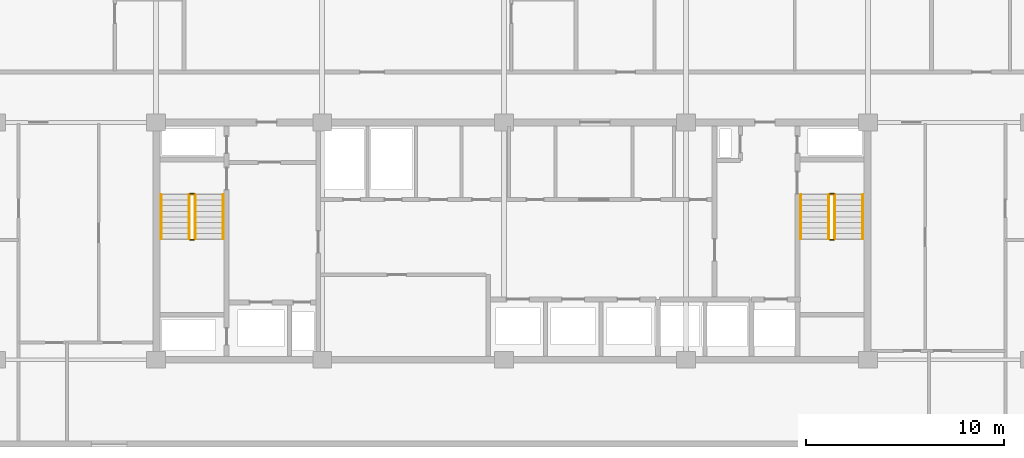
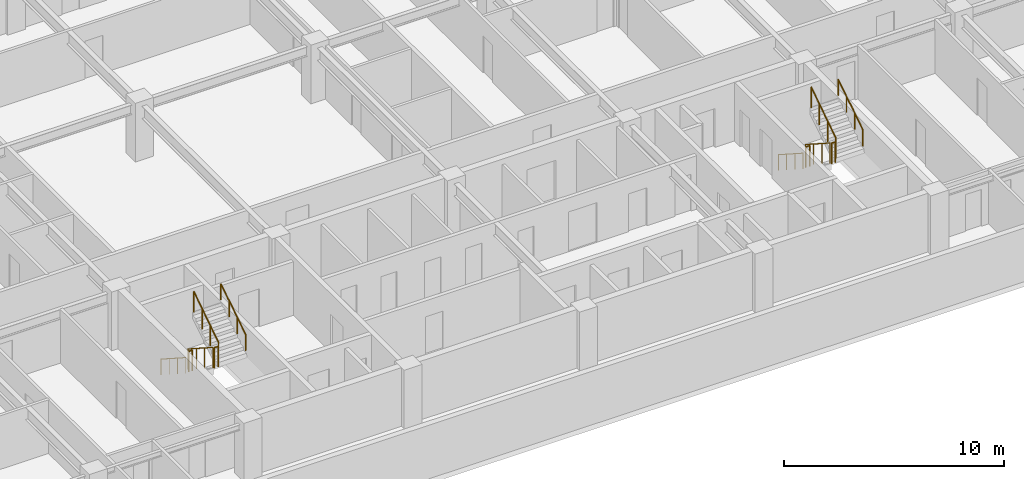
# One storey, part 20 of 21: 12 railings.
"""IFC4 building model written with IfcOpenShell, lengths in metres."""

from ifc_helpers import new_model, si_unit, direction, frame, origin, origin_2d, place, context, subcontext, project, spatial, circle, extrude, material, type_object, element, save


model = new_model("IFC4")

# Units and contexts
model_context = context("Model", 3, precision=1e-05, world=origin(), true_north=direction((0.0, 1.0)))
body_context = subcontext(model_context, "Body", "Model", "MODEL_VIEW")
ifc_project = project(units=[si_unit("LENGTHUNIT", "METRE"), si_unit("AREAUNIT", "SQUARE_METRE"), si_unit("VOLUMEUNIT", "CUBIC_METRE"), si_unit("PLANEANGLEUNIT", "RADIAN"), si_unit("MASSUNIT", "GRAM", prefix="KILO")], contexts=[model_context])

# Site, building, storey
site_placement = place(None, origin())
site = spatial("IfcSite", under=ifc_project, at=site_placement, CompositionType="ELEMENT")
building_placement = place(site_placement, origin())
building = spatial("IfcBuilding", under=site, at=building_placement, Name="Korimba Cascade Residences", CompositionType="ELEMENT")
storey_placement = place(building_placement, frame((0.0, 0.0, 119.800048828125)))
storey = spatial("IfcBuildingStorey", under=building, at=storey_placement, Name="L34", CompositionType="ELEMENT", Elevation=119.800048828125)

# Railings
ifc_material_1 = material(Name="Painted Steel Stairwell Guardrail", Category="steel")
railing_type_1 = type_object("IfcRailingType", Name="RLG-ST-GD1150", PredefinedType="GUARDRAIL", material=ifc_material_1)
railing_1_placement = place(storey_placement, frame((77.77001953125, 63.550048828125, 0.180419921875)))
element("IfcRailing", 1, at=railing_1_placement, inside=storey, type_object=railing_type_1, Name="L34 ST-W1 stair guard 1", PredefinedType="GUARDRAIL", context=body_context, shape_type="SweptSolid", body=[
    extrude(circle(Radius=0.02392578125, at=origin_2d()), frame((0.0, 0.0, 1.1259765625), z_axis=(0.0, -0.840394893359, 0.541974559565), x_axis=(1.0, 0.0, 0.0)), (0.0, 0.0, 1.0), 2.665283203125),
    extrude(circle(Radius=0.02099609375, at=origin_2d()), origin(), (0.0, 0.0, 1.0), 1.101806640625),
    extrude(circle(Radius=0.02099609375, at=origin_2d()), frame((0.0, -0.74658203125, 0.4814453125)), (0.0, 0.0, 1.0), 1.101806640625),
    extrude(circle(Radius=0.02099609375, at=origin_2d()), frame((0.0, -1.493408203125, 0.963134765625)), (0.0, 0.0, 1.0), 1.101806640625),
    extrude(circle(Radius=0.02099609375, at=origin_2d()), frame((0.0, -2.239990234375, 1.444580078125)), (0.0, 0.0, 1.0), 1.101806640625),
])
railing_2_placement = place(storey_placement, frame((77.820068359375, 61.260009765625, 1.625)))
element("IfcRailing", 2, at=railing_2_placement, inside=storey, type_object=railing_type_1, Name="L34 ST-W1 stair guard 2", PredefinedType="GUARDRAIL", context=body_context, shape_type="SweptSolid", body=[
    extrude(circle(Radius=0.02392578125, at=origin_2d()), frame((0.0, 0.0, 1.1259765625), z_axis=(1.0, 0.0, 0.0), x_axis=(0.0, 1.0, 0.0)), (0.0, 0.0, 1.0), 0.199951171875),
    extrude(circle(Radius=0.02099609375, at=origin_2d()), origin(), (0.0, 0.0, 1.0), 1.101806640625),
    extrude(circle(Radius=0.02099609375, at=origin_2d()), frame((0.199951171875, 0.0, 0.0)), (0.0, 0.0, 1.0), 1.101806640625),
])
railing_3_placement = place(storey_placement, frame((78.070068359375, 61.31005859375, 1.805419921875)))
element("IfcRailing", 3, at=railing_3_placement, inside=storey, type_object=railing_type_1, Name="L34 ST-W1 stair guard 3", PredefinedType="GUARDRAIL", context=body_context, shape_type="SweptSolid", body=[
    extrude(circle(Radius=0.02392578125, at=origin_2d()), frame((0.0, 0.0, 1.1259765625), z_axis=(0.0, 0.840394893359, 0.541974559565), x_axis=(-1.0, 0.0, 0.0)), (0.0, 0.0, 1.0), 2.665283203125),
    extrude(circle(Radius=0.02099609375, at=origin_2d()), origin(), (0.0, 0.0, 1.0), 1.101806640625),
    extrude(circle(Radius=0.02099609375, at=origin_2d()), frame((0.0, 0.74658203125, 0.4814453125)), (0.0, 0.0, 1.0), 1.101806640625),
    extrude(circle(Radius=0.02099609375, at=origin_2d()), frame((0.0, 1.493408203125, 0.963134765625)), (0.0, 0.0, 1.0), 1.101806640625),
    extrude(circle(Radius=0.02099609375, at=origin_2d()), frame((0.0, 2.239990234375, 1.444580078125)), (0.0, 0.0, 1.0), 1.101806640625),
])
railing_4_placement = place(storey_placement, frame((77.820068359375, 63.60009765625, 0.0)))
element("IfcRailing", 4, at=railing_4_placement, inside=storey, type_object=railing_type_1, Name="L34 ST-W1 stair guard 4", PredefinedType="GUARDRAIL", context=body_context, shape_type="SweptSolid", body=[
    extrude(circle(Radius=0.02392578125, at=origin_2d()), frame((0.0, 0.0, 1.1259765625), z_axis=(1.0, 0.0, 0.0), x_axis=(0.0, 1.0, 0.0)), (0.0, 0.0, 1.0), 0.199951171875),
    extrude(circle(Radius=0.02099609375, at=origin_2d()), origin(), (0.0, 0.0, 1.0), 1.101806640625),
    extrude(circle(Radius=0.02099609375, at=origin_2d()), frame((0.199951171875, 0.0, 0.0)), (0.0, 0.0, 1.0), 1.101806640625),
])
railing_5_placement = place(storey_placement, frame((110.1298828125, 63.550048828125, 0.180419921875)))
element("IfcRailing", 5, at=railing_5_placement, inside=storey, type_object=railing_type_1, Name="L34 ST-W2 stair guard 1", PredefinedType="GUARDRAIL", context=body_context, shape_type="SweptSolid", body=[
    extrude(circle(Radius=0.02392578125, at=origin_2d()), frame((0.0, 0.0, 1.1259765625), z_axis=(0.0, -0.840394893359, 0.541974559565), x_axis=(1.0, 0.0, 0.0)), (0.0, 0.0, 1.0), 2.665283203125),
    extrude(circle(Radius=0.02099609375, at=origin_2d()), origin(), (0.0, 0.0, 1.0), 1.101806640625),
    extrude(circle(Radius=0.02099609375, at=origin_2d()), frame((0.0, -0.74658203125, 0.4814453125)), (0.0, 0.0, 1.0), 1.101806640625),
    extrude(circle(Radius=0.02099609375, at=origin_2d()), frame((0.0, -1.493408203125, 0.963134765625)), (0.0, 0.0, 1.0), 1.101806640625),
    extrude(circle(Radius=0.02099609375, at=origin_2d()), frame((0.0, -2.239990234375, 1.444580078125)), (0.0, 0.0, 1.0), 1.101806640625),
])
railing_6_placement = place(storey_placement, frame((110.179931640625, 61.260009765625, 1.625)))
element("IfcRailing", 6, at=railing_6_placement, inside=storey, type_object=railing_type_1, Name="L34 ST-W2 stair guard 2", PredefinedType="GUARDRAIL", context=body_context, shape_type="SweptSolid", body=[
    extrude(circle(Radius=0.02392578125, at=origin_2d()), frame((0.0, 0.0, 1.1259765625), z_axis=(1.0, 0.0, 0.0), x_axis=(0.0, 1.0, 0.0)), (0.0, 0.0, 1.0), 0.199951171875),
    extrude(circle(Radius=0.02099609375, at=origin_2d()), origin(), (0.0, 0.0, 1.0), 1.101806640625),
    extrude(circle(Radius=0.02099609375, at=origin_2d()), frame((0.199951171875, 0.0, 0.0)), (0.0, 0.0, 1.0), 1.101806640625),
])
railing_7_placement = place(storey_placement, frame((110.429931640625, 61.31005859375, 1.805419921875)))
element("IfcRailing", 7, at=railing_7_placement, inside=storey, type_object=railing_type_1, Name="L34 ST-W2 stair guard 3", PredefinedType="GUARDRAIL", context=body_context, shape_type="SweptSolid", body=[
    extrude(circle(Radius=0.02392578125, at=origin_2d()), frame((0.0, 0.0, 1.1259765625), z_axis=(0.0, 0.840394893359, 0.541974559565), x_axis=(-1.0, 0.0, 0.0)), (0.0, 0.0, 1.0), 2.665283203125),
    extrude(circle(Radius=0.02099609375, at=origin_2d()), origin(), (0.0, 0.0, 1.0), 1.101806640625),
    extrude(circle(Radius=0.02099609375, at=origin_2d()), frame((0.0, 0.74658203125, 0.4814453125)), (0.0, 0.0, 1.0), 1.101806640625),
    extrude(circle(Radius=0.02099609375, at=origin_2d()), frame((0.0, 1.493408203125, 0.963134765625)), (0.0, 0.0, 1.0), 1.101806640625),
    extrude(circle(Radius=0.02099609375, at=origin_2d()), frame((0.0, 2.239990234375, 1.444580078125)), (0.0, 0.0, 1.0), 1.101806640625),
])
railing_8_placement = place(storey_placement, frame((110.179931640625, 63.60009765625, 0.0)))
element("IfcRailing", 8, at=railing_8_placement, inside=storey, type_object=railing_type_1, Name="L34 ST-W2 stair guard 4", PredefinedType="GUARDRAIL", context=body_context, shape_type="SweptSolid", body=[
    extrude(circle(Radius=0.02392578125, at=origin_2d()), frame((0.0, 0.0, 1.1259765625), z_axis=(1.0, 0.0, 0.0), x_axis=(0.0, 1.0, 0.0)), (0.0, 0.0, 1.0), 0.199951171875),
    extrude(circle(Radius=0.02099609375, at=origin_2d()), origin(), (0.0, 0.0, 1.0), 1.101806640625),
    extrude(circle(Radius=0.02099609375, at=origin_2d()), frame((0.199951171875, 0.0, 0.0)), (0.0, 0.0, 1.0), 1.101806640625),
])
ifc_material_2 = material(Name="Brushed Stainless Steel Handrail", Category="steel")
railing_type_2 = type_object("IfcRailingType", Name="RLG-ST-HR900", PredefinedType="HANDRAIL", material=ifc_material_2)
railing_9_placement = place(storey_placement, frame((76.35009765625, 63.550048828125, 0.364990234375)))
element("IfcRailing", 9, at=railing_9_placement, inside=storey, type_object=railing_type_2, Name="L34 ST-W1 stair handrail 1", PredefinedType="HANDRAIL", context=body_context, shape_type="SweptSolid", body=[
    extrude(circle(Radius=0.02392578125, at=origin_2d()), frame((0.0, 0.0, 0.8759765625), z_axis=(0.0, -0.840436612492, 0.541909863706), x_axis=(1.0, 0.0, 0.0)), (0.0, 0.0, 1.0), 2.665283203125),
    extrude(circle(Radius=0.02099609375, at=origin_2d()), origin(), (0.0, 0.0, 1.0), 0.851806640625),
    extrude(circle(Radius=0.02099609375, at=origin_2d()), frame((0.0, -0.74658203125, 0.4814453125)), (0.0, 0.0, 1.0), 0.851806640625),
    extrude(circle(Radius=0.02099609375, at=origin_2d()), frame((0.0, -1.493408203125, 0.962890625)), (0.0, 0.0, 1.0), 0.851806640625),
    extrude(circle(Radius=0.02099609375, at=origin_2d()), frame((0.0, -2.239990234375, 1.4443359375)), (0.0, 0.0, 1.0), 0.851806640625),
])
railing_10_placement = place(storey_placement, frame((79.489990234375, 61.31005859375, 1.989990234375)))
element("IfcRailing", 10, at=railing_10_placement, inside=storey, type_object=railing_type_2, Name="L34 ST-W1 stair handrail 2", PredefinedType="HANDRAIL", context=body_context, shape_type="SweptSolid", body=[
    extrude(circle(Radius=0.02392578125, at=origin_2d()), frame((0.0, 0.0, 0.8759765625), z_axis=(0.0, 0.840436612492, 0.541909863706), x_axis=(-1.0, 0.0, 0.0)), (0.0, 0.0, 1.0), 2.665283203125),
    extrude(circle(Radius=0.02099609375, at=origin_2d()), origin(), (0.0, 0.0, 1.0), 0.851806640625),
    extrude(circle(Radius=0.02099609375, at=origin_2d()), frame((0.0, 0.74658203125, 0.4814453125)), (0.0, 0.0, 1.0), 0.851806640625),
    extrude(circle(Radius=0.02099609375, at=origin_2d()), frame((0.0, 1.493408203125, 0.962890625)), (0.0, 0.0, 1.0), 0.851806640625),
    extrude(circle(Radius=0.02099609375, at=origin_2d()), frame((0.0, 2.239990234375, 1.4443359375)), (0.0, 0.0, 1.0), 0.851806640625),
])
railing_11_placement = place(storey_placement, frame((108.7099609375, 63.550048828125, 0.364990234375)))
element("IfcRailing", 11, at=railing_11_placement, inside=storey, type_object=railing_type_2, Name="L34 ST-W2 stair handrail 1", PredefinedType="HANDRAIL", context=body_context, shape_type="SweptSolid", body=[
    extrude(circle(Radius=0.02392578125, at=origin_2d()), frame((0.0, 0.0, 0.8759765625), z_axis=(0.0, -0.840436612492, 0.541909863706), x_axis=(1.0, 0.0, 0.0)), (0.0, 0.0, 1.0), 2.665283203125),
    extrude(circle(Radius=0.02099609375, at=origin_2d()), origin(), (0.0, 0.0, 1.0), 0.851806640625),
    extrude(circle(Radius=0.02099609375, at=origin_2d()), frame((0.0, -0.74658203125, 0.4814453125)), (0.0, 0.0, 1.0), 0.851806640625),
    extrude(circle(Radius=0.02099609375, at=origin_2d()), frame((0.0, -1.493408203125, 0.962890625)), (0.0, 0.0, 1.0), 0.851806640625),
    extrude(circle(Radius=0.02099609375, at=origin_2d()), frame((0.0, -2.239990234375, 1.4443359375)), (0.0, 0.0, 1.0), 0.851806640625),
])
railing_12_placement = place(storey_placement, frame((111.85009765625, 61.31005859375, 1.989990234375)))
element("IfcRailing", 12, at=railing_12_placement, inside=storey, type_object=railing_type_2, Name="L34 ST-W2 stair handrail 2", PredefinedType="HANDRAIL", context=body_context, shape_type="SweptSolid", body=[
    extrude(circle(Radius=0.02392578125, at=origin_2d()), frame((0.0, 0.0, 0.8759765625), z_axis=(0.0, 0.840436612492, 0.541909863706), x_axis=(-1.0, 0.0, 0.0)), (0.0, 0.0, 1.0), 2.665283203125),
    extrude(circle(Radius=0.02099609375, at=origin_2d()), origin(), (0.0, 0.0, 1.0), 0.851806640625),
    extrude(circle(Radius=0.02099609375, at=origin_2d()), frame((0.0, 0.74658203125, 0.4814453125)), (0.0, 0.0, 1.0), 0.851806640625),
    extrude(circle(Radius=0.02099609375, at=origin_2d()), frame((0.0, 1.493408203125, 0.962890625)), (0.0, 0.0, 1.0), 0.851806640625),
    extrude(circle(Radius=0.02099609375, at=origin_2d()), frame((0.0, 2.239990234375, 1.4443359375)), (0.0, 0.0, 1.0), 0.851806640625),
])

save(model, "model.ifc")
